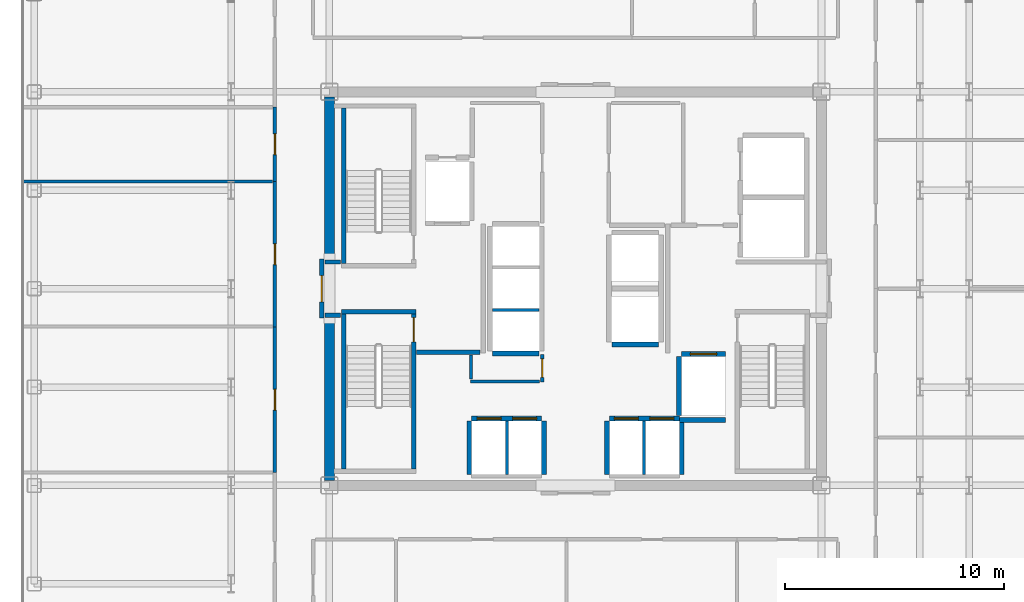
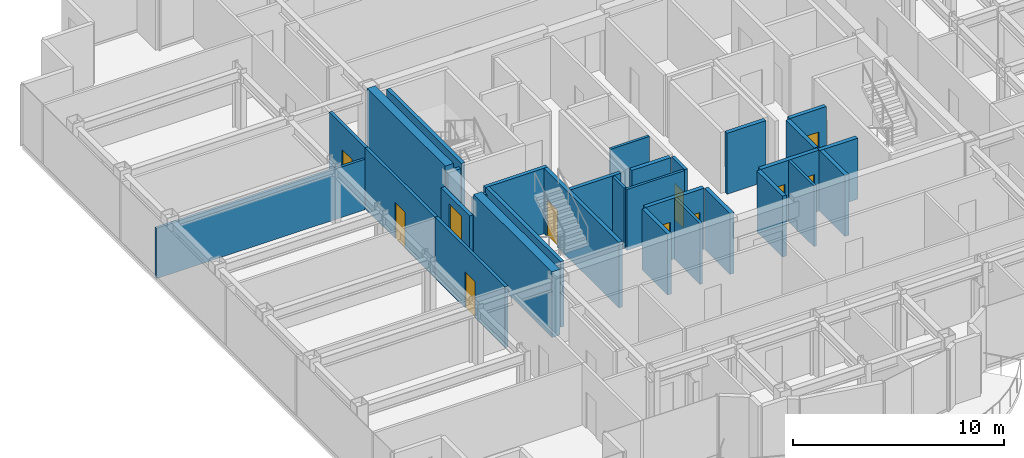
# One storey, part 15 of 21: 31 walls, 11 doors, 11 openings.
"""IFC4 building model written with IfcOpenShell, lengths in metres."""

from ifc_helpers import new_model, si_unit, direction, frame, frame_2d, origin, place, context, subcontext, project, spatial, rectangle, extrude, source, transform, mapped, material, layer, layer_set, type_object, element, fill, save


model = new_model("IFC4")

# Units and contexts
model_context = context("Model", 3, precision=1e-05, world=origin(), true_north=direction((0.0, 1.0)))
body_context = subcontext(model_context, "Body", "Model", "MODEL_VIEW")
ifc_project = project(units=[si_unit("LENGTHUNIT", "METRE"), si_unit("AREAUNIT", "SQUARE_METRE"), si_unit("VOLUMEUNIT", "CUBIC_METRE"), si_unit("PLANEANGLEUNIT", "RADIAN"), si_unit("MASSUNIT", "GRAM", prefix="KILO")], contexts=[model_context])

# Site, building, storey
site_placement = place(None, origin())
site = spatial("IfcSite", under=ifc_project, at=site_placement, CompositionType="ELEMENT")
building_placement = place(site_placement, origin())
building = spatial("IfcBuilding", under=site, at=building_placement, Name="Nefas-Gora Pilgrimage Tower", CompositionType="ELEMENT")
storey_placement = place(building_placement, frame((0.0, 0.0, 210.39990234375)))
storey = spatial("IfcBuildingStorey", under=building, at=storey_placement, Name="L52", CompositionType="ELEMENT", Elevation=210.39990234375)

# Walls
ifc_material_1 = material(Name="Concrete C50/60", Category="concrete")
ifc_layer_1 = layer(ifc_material_1, 0.449951171875)
ifc_layer_set_1 = layer_set([ifc_layer_1], Name="Concrete C50/60")
wall_type_1 = type_object("IfcWallType", Name="SW-CORE-450", PredefinedType="SHEAR", material=ifc_layer_set_1)
shared_shape_1 = source(origin(), body_context, "Body", "SweptSolid", [
    extrude(rectangle(XDim=7.4248046875, YDim=0.449951171875, at=frame_2d((3.71240234375, 0.0))), origin(), (0.0, 0.0, 1.0), 3.800048828125),
])
for number, where, z_axis, x_axis, name in (
    (1, (-11.25, -8.77490234375, 0.0), (0.0, 0.0, 1.0), (0.0, 1.0, 0.0), "L52 Core Shear Wall W-South"),
    (2, (-11.25, 1.35009765625, 0.0), (0.0, 0.0, 1.0), (0.0, 1.0, 0.0), "L52 Core Shear Wall W-North"),
):
    element("IfcWall", number, at=place(storey_placement, frame(where, z_axis=z_axis, x_axis=x_axis)), inside=storey, type_object=wall_type_1, Name=name, PredefinedType="SHEAR", context=body_context, shape_type="MappedRepresentation", body=[
        mapped(shared_shape_1, transform((0.0, 0.0, 0.0), x_axis=(1.0, 0.0, 0.0), y_axis=(0.0, 1.0, 0.0), z_axis=(0.0, 0.0, 1.0), scale=1.0)),
    ])
ifc_material_2 = material(Name="Concrete C45/55", Category="concrete")
ifc_layer_2 = layer(ifc_material_2, 0.199951171875)
ifc_layer_set_2 = layer_set([ifc_layer_2], Name="Concrete C45/55")
wall_type_2 = type_object("IfcWallType", Name="IW-STAIR-200", PredefinedType="SOLIDWALL", material=ifc_layer_set_2)
shared_shape_2 = source(origin(), body_context, "Body", "SweptSolid", [
    extrude(rectangle(XDim=3.39990234375, YDim=0.199951171875, at=frame_2d((1.699951171875, 0.0))), origin(), (0.0, 0.0, 1.0), 3.800048828125),
])
wall_1_placement = place(storey_placement, frame((-10.699951171875, -1.050048828125, 0.0), z_axis=(0.0, 0.0, 1.0), x_axis=(1.0, 0.0, 0.0)))
element("IfcWall", 3, at=wall_1_placement, inside=storey, type_object=wall_type_2, Name="L52 Stairwell Shear Wall ST-03-near", PredefinedType="SOLIDWALL", context=body_context, shape_type="MappedRepresentation", body=[
    mapped(shared_shape_2, transform((0.0, 0.0, 0.0), x_axis=(1.0, 0.0, 0.0), y_axis=(0.0, 1.0, 0.0), z_axis=(0.0, 0.0, 1.0), scale=1.0)),
])
shared_shape_3 = source(origin(), body_context, "Body", "SweptSolid", [
    extrude(rectangle(XDim=7.10009765625, YDim=0.199951171875, at=frame_2d((3.550048828125, 0.0))), origin(), (0.0, 0.0, 1.0), 3.800048828125),
])
for number, where, z_axis, x_axis, name in (
    (4, (-10.60009765625, 1.14990234375, 0.0), (0.0, 0.0, 1.0), (0.0, 1.0, 0.0), "L52 Stairwell Shear Wall ST-01-right"),
    (5, (-10.60009765625, -1.14990234375, 0.0), (0.0, 0.0, 1.0), (0.0, -1.0, 0.0), "L52 Stairwell Shear Wall ST-03-left"),
):
    element("IfcWall", number, at=place(storey_placement, frame(where, z_axis=z_axis, x_axis=x_axis)), inside=storey, type_object=wall_type_2, Name=name, PredefinedType="SOLIDWALL", context=body_context, shape_type="MappedRepresentation", body=[
        mapped(shared_shape_3, transform((0.0, 0.0, 0.0), x_axis=(1.0, 0.0, 0.0), y_axis=(0.0, 1.0, 0.0), z_axis=(0.0, 0.0, 1.0), scale=1.0)),
    ])

# Wall, opening, door
wall_2_placement = place(storey_placement, frame((-7.39990234375, -1.14990234375, 0.0), z_axis=(0.0, 0.0, 1.0), x_axis=(0.0, -1.0, 0.0)))
wall_2 = element("IfcWall", 6, at=wall_2_placement, inside=storey, type_object=wall_type_2, Name="L52 Stairwell Shear Wall ST-03-right", PredefinedType="SOLIDWALL", context=body_context, shape_type="MappedRepresentation", body=[
    mapped(shared_shape_3, transform((0.0, 0.0, 0.0), x_axis=(1.0, 0.0, 0.0), y_axis=(0.0, 1.0, 0.0), z_axis=(0.0, 0.0, 1.0), scale=1.0)),
])
opening_1_placement = place(wall_2_placement, frame((0.179931640625, 0.0, 0.0)))
opening_1 = element("IfcOpeningElement", 7, at=opening_1_placement, cuts=wall_2, Name="Opening ID-ST1", PredefinedType="OPENING", context=body_context, shape_type="SweptSolid", body=[
    extrude(rectangle(XDim=1.10009765625, YDim=2.14990234375, at=frame_2d((0.550048828125, 1.074951171875))), frame((0.0, 0.10986328125, 0.0), z_axis=(0.0, -1.0, 0.0), x_axis=(1.0, 0.0, 0.0)), (0.0, 0.0, 1.0), 0.219970703125),
])
ifc_material_3 = material(Name="Painted galvanised steel fire stair door", Category="steel")
door_type_1 = type_object("IfcDoorType", Name="DR-INT-STAIR-1100", OperationType="NOTDEFINED", PredefinedType="DOOR", material=ifc_material_3)
shared_shape_4 = source(origin(), body_context, "Body", "SweptSolid", [
    extrude(rectangle(XDim=1.10009765625, YDim=2.14990234375, at=frame_2d((0.550048828125, 1.074951171875))), frame((0.0, 0.02490234375, 0.0), z_axis=(0.0, -1.0, 0.0), x_axis=(1.0, 0.0, 0.0)), (0.0, 0.0, 1.0), 0.050048828125),
])
door_1_placement = place(opening_1_placement, origin())
door_1 = element("IfcDoor", 8, at=door_1_placement, inside=storey, type_object=door_type_1, Name="L52 Protected Exit Stair Door ST-03", OperationType="SINGLE_SWING_RIGHT", OverallHeight=2.14990234375, OverallWidth=1.10009765625, PredefinedType="DOOR", context=body_context, shape_type="MappedRepresentation", body=[
    mapped(shared_shape_4, transform((0.0, 0.0, 0.0), x_axis=(1.0, 0.0, 0.0), y_axis=(0.0, 1.0, 0.0), z_axis=(0.0, 0.0, 1.0), scale=1.0)),
])
fill(opening_1, door_1)

ifc_material_4 = material(Name="Concrete C40/50", Category="concrete")
ifc_layer_3 = layer(ifc_material_4, 0.219970703125)
ifc_layer_set_3 = layer_set([ifc_layer_3], Name="Concrete C40/50")
wall_type_3 = type_object("IfcWallType", Name="IW-SHAFT-220", PredefinedType="SOLIDWALL", material=ifc_layer_set_3)
shared_shape_5 = source(origin(), body_context, "Body", "SweptSolid", [
    extrude(rectangle(XDim=2.0, YDim=0.219970703125, at=frame_2d((1.0, 0.0))), origin(), (0.0, 0.0, 1.0), 3.53515625),
])
wall_3_placement = place(storey_placement, frame((6.85009765625, -2.989990234375, 0.0), z_axis=(0.0, 0.0, 1.0), x_axis=(-1.0, 0.0, 0.0)))
wall_3 = element("IfcWall", 9, at=wall_3_placement, inside=storey, type_object=wall_type_3, Name="L52 Hoistway Wall FFL-02-N", PredefinedType="SOLIDWALL", context=body_context, shape_type="MappedRepresentation", body=[
    mapped(shared_shape_5, transform((0.0, 0.0, 0.0), x_axis=(1.0, 0.0, 0.0), y_axis=(0.0, 1.0, 0.0), z_axis=(0.0, 0.0, 1.0), scale=1.0)),
])
opening_2_placement = place(wall_3_placement, frame((0.39990234375, 0.0, 0.0)))
opening_2 = element("IfcOpeningElement", 10, at=opening_2_placement, cuts=wall_3, Name="Opening LD-FF", PredefinedType="OPENING", context=body_context, shape_type="SweptSolid", body=[
    extrude(rectangle(XDim=1.199951171875, YDim=2.199951171875, at=frame_2d((0.60009765625, 1.10009765625))), frame((0.0, 0.119873046875, 0.0), z_axis=(0.0, -1.0, 0.0), x_axis=(1.0, 0.0, 0.0)), (0.0, 0.0, 1.0), 0.239990234375),
])
ifc_material_5 = material(Name="Fire-service sliding lift landing door")
door_type_2 = type_object("IfcDoorType", Name="DR-LIFT-FSAE-1200", OperationType="SLIDING_TO_LEFT", PredefinedType="DOOR", material=ifc_material_5)
shared_shape_6 = source(origin(), body_context, "Body", "SweptSolid", [
    extrude(rectangle(XDim=1.199951171875, YDim=2.199951171875, at=frame_2d((0.60009765625, 1.10009765625))), frame((0.0, 0.02490234375, 0.0), z_axis=(0.0, -1.0, 0.0), x_axis=(1.0, 0.0, 0.0)), (0.0, 0.0, 1.0), 0.050048828125),
])
door_2_placement = place(opening_2_placement, origin())
door_2 = element("IfcDoor", 11, at=door_2_placement, inside=storey, type_object=door_type_2, Name="L52 Sliding Lift Landing Door FFL-02", OperationType="SLIDING_TO_LEFT", OverallHeight=2.199951171875, OverallWidth=1.199951171875, PredefinedType="DOOR", context=body_context, shape_type="MappedRepresentation", body=[
    mapped(shared_shape_6, transform((0.0, 0.0, 0.0), x_axis=(1.0, 0.0, 0.0), y_axis=(0.0, 1.0, 0.0), z_axis=(0.0, 0.0, 1.0), scale=1.0)),
])
fill(opening_2, door_2)

# Wall
shared_shape_7 = source(origin(), body_context, "Body", "SweptSolid", [
    extrude(rectangle(XDim=2.679931640625, YDim=0.219970703125, at=frame_2d((1.33984375, 0.0))), origin(), (0.0, 0.0, 1.0), 3.53515625),
])
wall_4_placement = place(storey_placement, frame((4.739990234375, -3.110107421875, 0.0), z_axis=(0.0, 0.0, 1.0), x_axis=(0.0, -1.0, 0.0)))
element("IfcWall", 12, at=wall_4_placement, inside=storey, type_object=wall_type_3, Name="L52 Hoistway Wall FFL-02-W", PredefinedType="SOLIDWALL", context=body_context, shape_type="MappedRepresentation", body=[
    mapped(shared_shape_7, transform((0.0, 0.0, 0.0), x_axis=(1.0, 0.0, 0.0), y_axis=(0.0, 1.0, 0.0), z_axis=(0.0, 0.0, 1.0), scale=1.0)),
])

# Wall, openings, doors
shared_shape_8 = source(origin(), body_context, "Body", "SweptSolid", [
    extrude(rectangle(XDim=3.199951171875, YDim=0.219970703125, at=frame_2d((1.60009765625, 0.0))), origin(), (0.0, 0.0, 1.0), 3.53515625),
])
wall_5_placement = place(storey_placement, frame((-1.550048828125, -5.93994140625, 0.0), z_axis=(0.0, 0.0, 1.0), x_axis=(-1.0, 0.0, 0.0)))
wall_5 = element("IfcWall", 13, at=wall_5_placement, inside=storey, type_object=wall_type_3, Name="L52 Hoistway Wall PL2-W-N", PredefinedType="SOLIDWALL", context=body_context, shape_type="MappedRepresentation", body=[
    mapped(shared_shape_8, transform((0.0, 0.0, 0.0), x_axis=(1.0, 0.0, 0.0), y_axis=(0.0, 1.0, 0.0), z_axis=(0.0, 0.0, 1.0), scale=1.0)),
])
opening_3_placement = place(wall_5_placement, frame((1.85009765625, 0.0, 0.0)))
opening_3 = element("IfcOpeningElement", 14, at=opening_3_placement, cuts=wall_5, Name="Opening LD-01", PredefinedType="OPENING", context=body_context, shape_type="SweptSolid", body=[
    extrude(rectangle(XDim=1.10009765625, YDim=2.199951171875, at=frame_2d((0.550048828125, 1.10009765625))), frame((0.0, 0.119873046875, 0.0), z_axis=(0.0, -1.0, 0.0), x_axis=(1.0, 0.0, 0.0)), (0.0, 0.0, 1.0), 0.239990234375),
])
opening_4_placement = place(wall_5_placement, frame((0.22509765625, 0.0, 0.0)))
opening_4 = element("IfcOpeningElement", 15, at=opening_4_placement, cuts=wall_5, Name="Opening LD-01", PredefinedType="OPENING", context=body_context, shape_type="SweptSolid", body=[
    extrude(rectangle(XDim=1.10009765625, YDim=2.199951171875, at=frame_2d((0.550048828125, 1.10009765625))), frame((0.0, 0.119873046875, 0.0), z_axis=(0.0, -1.0, 0.0), x_axis=(1.0, 0.0, 0.0)), (0.0, 0.0, 1.0), 0.239990234375),
])
ifc_material_6 = material(Name="Brushed stainless sliding lift landing door")
door_type_3 = type_object("IfcDoorType", Name="DR-LIFT-PASS-1100", OperationType="DOUBLE_DOOR_SLIDING", PredefinedType="DOOR", material=ifc_material_6)
shared_shape_9 = source(origin(), body_context, "Body", "SweptSolid", [
    extrude(rectangle(XDim=1.10009765625, YDim=2.199951171875, at=frame_2d((0.550048828125, 1.10009765625))), frame((0.0, 0.02490234375, 0.0), z_axis=(0.0, -1.0, 0.0), x_axis=(1.0, 0.0, 0.0)), (0.0, 0.0, 1.0), 0.050048828125),
])
door_3_placement = place(opening_3_placement, origin())
door_3 = element("IfcDoor", 16, at=door_3_placement, inside=storey, type_object=door_type_3, Name="L52 Sliding Lift Landing Door PL2-01", OperationType="DOUBLE_DOOR_SLIDING", OverallHeight=2.199951171875, OverallWidth=1.10009765625, PredefinedType="DOOR", context=body_context, shape_type="MappedRepresentation", body=[
    mapped(shared_shape_9, transform((0.0, 0.0, 0.0), x_axis=(1.0, 0.0, 0.0), y_axis=(0.0, 1.0, 0.0), z_axis=(0.0, 0.0, 1.0), scale=1.0)),
])
fill(opening_3, door_3)
door_4_placement = place(opening_4_placement, origin())
door_4 = element("IfcDoor", 17, at=door_4_placement, inside=storey, type_object=door_type_3, Name="L52 Sliding Lift Landing Door PL2-02", OperationType="DOUBLE_DOOR_SLIDING", OverallHeight=2.199951171875, OverallWidth=1.10009765625, PredefinedType="DOOR", context=body_context, shape_type="MappedRepresentation", body=[
    mapped(shared_shape_9, transform((0.0, 0.0, 0.0), x_axis=(1.0, 0.0, 0.0), y_axis=(0.0, 1.0, 0.0), z_axis=(0.0, 0.0, 1.0), scale=1.0)),
])
fill(opening_4, door_4)

wall_6_placement = place(storey_placement, frame((4.75, -5.93994140625, 0.0), z_axis=(0.0, 0.0, 1.0), x_axis=(-1.0, 0.0, 0.0)))
wall_6 = element("IfcWall", 18, at=wall_6_placement, inside=storey, type_object=wall_type_3, Name="L52 Hoistway Wall PL2-E-N", PredefinedType="SOLIDWALL", context=body_context, shape_type="MappedRepresentation", body=[
    mapped(shared_shape_8, transform((0.0, 0.0, 0.0), x_axis=(1.0, 0.0, 0.0), y_axis=(0.0, 1.0, 0.0), z_axis=(0.0, 0.0, 1.0), scale=1.0)),
])
opening_5_placement = place(wall_6_placement, frame((1.875, 0.0, 0.0)))
opening_5 = element("IfcOpeningElement", 19, at=opening_5_placement, cuts=wall_6, Name="Opening LD-01", PredefinedType="OPENING", context=body_context, shape_type="SweptSolid", body=[
    extrude(rectangle(XDim=1.10009765625, YDim=2.199951171875, at=frame_2d((0.550048828125, 1.10009765625))), frame((0.0, 0.119873046875, 0.0), z_axis=(0.0, -1.0, 0.0), x_axis=(1.0, 0.0, 0.0)), (0.0, 0.0, 1.0), 0.239990234375),
])
opening_6_placement = place(wall_6_placement, frame((0.25, 0.0, 0.0)))
opening_6 = element("IfcOpeningElement", 20, at=opening_6_placement, cuts=wall_6, Name="Opening LD-01", PredefinedType="OPENING", context=body_context, shape_type="SweptSolid", body=[
    extrude(rectangle(XDim=1.10009765625, YDim=2.199951171875, at=frame_2d((0.550048828125, 1.10009765625))), frame((0.0, 0.119873046875, 0.0), z_axis=(0.0, -1.0, 0.0), x_axis=(1.0, 0.0, 0.0)), (0.0, 0.0, 1.0), 0.239990234375),
])
door_5_placement = place(opening_5_placement, origin())
door_5 = element("IfcDoor", 21, at=door_5_placement, inside=storey, type_object=door_type_3, Name="L52 Sliding Lift Landing Door PL2-03", OperationType="DOUBLE_DOOR_SLIDING", OverallHeight=2.199951171875, OverallWidth=1.10009765625, PredefinedType="DOOR", context=body_context, shape_type="MappedRepresentation", body=[
    mapped(shared_shape_9, transform((0.0, 0.0, 0.0), x_axis=(1.0, 0.0, 0.0), y_axis=(0.0, 1.0, 0.0), z_axis=(0.0, 0.0, 1.0), scale=1.0)),
])
fill(opening_5, door_5)
door_6_placement = place(opening_6_placement, origin())
door_6 = element("IfcDoor", 22, at=door_6_placement, inside=storey, type_object=door_type_3, Name="L52 Sliding Lift Landing Door PL2-04", OperationType="DOUBLE_DOOR_SLIDING", OverallHeight=2.199951171875, OverallWidth=1.10009765625, PredefinedType="DOOR", context=body_context, shape_type="MappedRepresentation", body=[
    mapped(shared_shape_9, transform((0.0, 0.0, 0.0), x_axis=(1.0, 0.0, 0.0), y_axis=(0.0, 1.0, 0.0), z_axis=(0.0, 0.0, 1.0), scale=1.0)),
])
fill(opening_6, door_6)

# Walls
shared_shape_10 = source(origin(), body_context, "Body", "SweptSolid", [
    extrude(rectangle(XDim=2.429931640625, YDim=0.219970703125, at=frame_2d((1.21484375, 0.0))), origin(), (0.0, 0.0, 1.0), 3.53515625),
])
for number, where, z_axis, x_axis, name in (
    (23, (-4.860107421875, -6.06005859375, 0.0), (0.0, 0.0, 1.0), (0.0, -1.0, 0.0), "L52 Hoistway Wall PL2-W-W"),
    (24, (-1.43994140625, -8.489990234375, 0.0), (0.0, 0.0, 1.0), (0.0, 1.0, 0.0), "L52 Hoistway Wall PL2-W-E"),
    (25, (1.43994140625, -6.06005859375, 0.0), (0.0, 0.0, 1.0), (0.0, -1.0, 0.0), "L52 Hoistway Wall PL2-E-W"),
    (26, (4.860107421875, -8.489990234375, 0.0), (0.0, 0.0, 1.0), (0.0, 1.0, 0.0), "L52 Hoistway Wall PL2-E-E"),
):
    element("IfcWall", number, at=place(storey_placement, frame(where, z_axis=z_axis, x_axis=x_axis)), inside=storey, type_object=wall_type_3, Name=name, PredefinedType="SOLIDWALL", context=body_context, shape_type="MappedRepresentation", body=[
        mapped(shared_shape_10, transform((0.0, 0.0, 0.0), x_axis=(1.0, 0.0, 0.0), y_axis=(0.0, 1.0, 0.0), z_axis=(0.0, 0.0, 1.0), scale=1.0)),
    ])
ifc_material_7 = material(Name="Gypsum twin-stud partition")
ifc_layer_4 = layer(ifc_material_7, 0.139892578125)
ifc_layer_set_4 = layer_set([ifc_layer_4], Name="Gypsum twin-stud partition")
wall_type_4 = type_object("IfcWallType", Name="IW-UNIT-140", PredefinedType="PARTITIONING", material=ifc_layer_set_4)
shared_shape_11 = source(origin(), body_context, "Body", "SweptSolid", [
    extrude(rectangle(XDim=2.429931640625, YDim=0.139892578125, at=frame_2d((1.21484375, 0.0))), origin(), (0.0, 0.0, 1.0), 3.53515625),
])
for number, where, z_axis, x_axis, name in (
    (27, (-3.125, -8.489990234375, 0.0), (0.0, 0.0, 1.0), (0.0, 1.0, 0.0), "L52 Hoistway Wall PL2-W-DIV"),
    (28, (3.125, -8.489990234375, 0.0), (0.0, 0.0, 1.0), (0.0, 1.0, 0.0), "L52 Hoistway Wall PL2-E-DIV"),
):
    element("IfcWall", number, at=place(storey_placement, frame(where, z_axis=z_axis, x_axis=x_axis)), inside=storey, type_object=wall_type_4, Name=name, PredefinedType="PARTITIONING", context=body_context, shape_type="MappedRepresentation", body=[
        mapped(shared_shape_11, transform((0.0, 0.0, 0.0), x_axis=(1.0, 0.0, 0.0), y_axis=(0.0, 1.0, 0.0), z_axis=(0.0, 0.0, 1.0), scale=1.0)),
    ])
shared_shape_12 = source(origin(), body_context, "Body", "SweptSolid", [
    extrude(rectangle(XDim=2.130126953125, YDim=0.219970703125, at=frame_2d((1.06494140625, 0.0))), origin(), (0.0, 0.0, 1.0), 3.53515625),
])
for number, where, z_axis, x_axis, name in (
    (29, (-3.7900390625, -2.9599609375, 0.0), (0.0, 0.0, 1.0), (1.0, 0.0, 0.0), "L52 Hoistway Wall PL3-01-S"),
    (30, (1.659912109375, -2.56005859375, 0.0), (0.0, 0.0, 1.0), (1.0, 0.0, 0.0), "L52 Hoistway Wall OBS-01-S"),
):
    element("IfcWall", number, at=place(storey_placement, frame(where, z_axis=z_axis, x_axis=x_axis)), inside=storey, type_object=wall_type_3, Name=name, PredefinedType="SOLIDWALL", context=body_context, shape_type="MappedRepresentation", body=[
        mapped(shared_shape_12, transform((0.0, 0.0, 0.0), x_axis=(1.0, 0.0, 0.0), y_axis=(0.0, 1.0, 0.0), z_axis=(0.0, 0.0, 1.0), scale=1.0)),
    ])
shared_shape_13 = source(origin(), body_context, "Body", "SweptSolid", [
    extrude(rectangle(XDim=2.130126953125, YDim=0.139892578125, at=frame_2d((1.06494140625, 0.0))), origin(), (0.0, 0.0, 1.0), 3.53515625),
])
wall_7_placement = place(storey_placement, frame((-3.7900390625, -0.97509765625, 0.0), z_axis=(0.0, 0.0, 1.0), x_axis=(1.0, 0.0, 0.0)))
element("IfcWall", 31, at=wall_7_placement, inside=storey, type_object=wall_type_4, Name="L52 Hoistway Wall PL3-01-02-DIV", PredefinedType="PARTITIONING", context=body_context, shape_type="MappedRepresentation", body=[
    mapped(shared_shape_13, transform((0.0, 0.0, 0.0), x_axis=(1.0, 0.0, 0.0), y_axis=(0.0, 1.0, 0.0), z_axis=(0.0, 0.0, 1.0), scale=1.0)),
])
shared_shape_14 = source(origin(), body_context, "Body", "SweptSolid", [
    extrude(rectangle(XDim=2.09521484375, YDim=0.219970703125, at=frame_2d((1.047607421875, 0.0))), origin(), (0.0, 0.0, 1.0), 3.53515625),
])
wall_8_placement = place(storey_placement, frame((4.7548828125, -6.0, 0.0), z_axis=(0.0, 0.0, 1.0), x_axis=(1.0, 0.0, 0.0)))
element("IfcWall", 32, at=wall_8_placement, inside=storey, type_object=wall_type_3, Name="L52 Riser Shaft Wall 3", PredefinedType="SOLIDWALL", context=body_context, shape_type="MappedRepresentation", body=[
    mapped(shared_shape_14, transform((0.0, 0.0, 0.0), x_axis=(1.0, 0.0, 0.0), y_axis=(0.0, 1.0, 0.0), z_axis=(0.0, 0.0, 1.0), scale=1.0)),
])
ifc_material_8 = material(Name="Gypsum fire-rated shaftwall")
ifc_layer_5 = layer(ifc_material_8, 0.199951171875)
ifc_layer_set_5 = layer_set([ifc_layer_5], Name="Gypsum fire-rated shaftwall")
wall_type_5 = type_object("IfcWallType", Name="IW-FFLOB-200", PredefinedType="PARTITIONING", material=ifc_layer_set_5)
shared_shape_15 = source(origin(), body_context, "Body", "SweptSolid", [
    extrude(rectangle(XDim=2.89990234375, YDim=0.199951171875, at=frame_2d((1.449951171875, 0.0))), origin(), (0.0, 0.0, 1.0), 3.53515625),
])
wall_9_placement = place(storey_placement, frame((-7.260009765625, -2.89990234375, 0.0), z_axis=(0.0, 0.0, 1.0), x_axis=(1.0, 0.0, 0.0)))
element("IfcWall", 33, at=wall_9_placement, inside=storey, type_object=wall_type_5, Name="L52 FF Lobby West South Wall Wall 6", PredefinedType="PARTITIONING", context=body_context, shape_type="MappedRepresentation", body=[
    mapped(shared_shape_15, transform((0.0, 0.0, 0.0), x_axis=(1.0, 0.0, 0.0), y_axis=(0.0, 1.0, 0.0), z_axis=(0.0, 0.0, 1.0), scale=1.0)),
])
shared_shape_16 = source(origin(), body_context, "Body", "SweptSolid", [
    extrude(rectangle(XDim=0.719970703125, YDim=0.199951171875, at=frame_2d((0.35986328125, 0.0))), origin(), (0.0, 0.0, 1.0), 3.53515625),
])
for number, where, z_axis, x_axis, name in (
    (34, (-11.4599609375, 1.219970703125, 0.0), (0.0, 0.0, 1.0), (1.0, 0.0, 0.0), "L52 FF Lobby West Throat N Wall 7"),
    (35, (-11.4599609375, -1.219970703125, 0.0), (0.0, 0.0, 1.0), (1.0, 0.0, 0.0), "L52 FF Lobby West Throat S Wall 8"),
):
    element("IfcWall", number, at=place(storey_placement, frame(where, z_axis=z_axis, x_axis=x_axis)), inside=storey, type_object=wall_type_5, Name=name, PredefinedType="PARTITIONING", context=body_context, shape_type="MappedRepresentation", body=[
        mapped(shared_shape_16, transform((0.0, 0.0, 0.0), x_axis=(1.0, 0.0, 0.0), y_axis=(0.0, 1.0, 0.0), z_axis=(0.0, 0.0, 1.0), scale=1.0)),
    ])
shared_shape_17 = source(origin(), body_context, "Body", "SweptSolid", [
    extrude(rectangle(XDim=3.150146484375, YDim=0.139892578125, at=frame_2d((1.5751953125, 0.0))), origin(), (0.0, 0.0, 1.0), 3.53515625),
])
wall_10_placement = place(storey_placement, frame((-4.7900390625, -4.25, 0.0), z_axis=(0.0, 0.0, 1.0), x_axis=(1.0, 0.0, 0.0)))
element("IfcWall", 36, at=wall_10_placement, inside=storey, type_object=wall_type_4, Name="L52 Pilgrim Baggage and Gear Vault Partition Wall 21", PredefinedType="PARTITIONING", context=body_context, shape_type="MappedRepresentation", body=[
    mapped(shared_shape_17, transform((0.0, 0.0, 0.0), x_axis=(1.0, 0.0, 0.0), y_axis=(0.0, 1.0, 0.0), z_axis=(0.0, 0.0, 1.0), scale=1.0)),
])

# Wall, opening, door
ifc_material_9 = material(Name="Gypsum acoustic stud partition")
ifc_layer_6 = layer(ifc_material_9, 0.159912109375)
ifc_layer_set_6 = layer_set([ifc_layer_6], Name="Gypsum acoustic stud partition")
wall_type_6 = type_object("IfcWallType", Name="IW-CORR-160", PredefinedType="PARTITIONING", material=ifc_layer_set_6)
shared_shape_18 = source(origin(), body_context, "Body", "SweptSolid", [
    extrude(rectangle(XDim=3.409912109375, YDim=0.159912109375, at=frame_2d((1.705078125, 0.0))), origin(), (0.0, 0.0, 1.0), 3.53515625),
])
wall_11_placement = place(storey_placement, frame((-13.739990234375, 4.89501953125, 0.0), z_axis=(0.0, 0.0, 1.0), x_axis=(0.0, 1.0, 0.0)))
wall_11 = element("IfcWall", 37, at=wall_11_placement, inside=storey, type_object=wall_type_6, Name="L52 Pastoral Chaplains Counselling Office Partition Wall 36", PredefinedType="PARTITIONING", context=body_context, shape_type="MappedRepresentation", body=[
    mapped(shared_shape_18, transform((0.0, 0.0, 0.0), x_axis=(1.0, 0.0, 0.0), y_axis=(0.0, 1.0, 0.0), z_axis=(0.0, 0.0, 1.0), scale=1.0)),
])
opening_7_placement = place(wall_11_placement, frame((1.22998046875, 0.0, 0.0)))
opening_7 = element("IfcOpeningElement", 38, at=opening_7_placement, cuts=wall_11, Name="Opening ID-GR1", PredefinedType="OPENING", context=body_context, shape_type="SweptSolid", body=[
    extrude(rectangle(XDim=0.949951171875, YDim=2.10009765625, at=frame_2d((0.47509765625, 1.050048828125))), frame((0.0, 0.08984375, 0.0), z_axis=(0.0, -1.0, 0.0), x_axis=(1.0, 0.0, 0.0)), (0.0, 0.0, 1.0), 0.179931640625),
])
ifc_material_10 = material(Name="Solid core oak fire-rated guest entrance door")
door_type_4 = type_object("IfcDoorType", Name="DR-INT-GUEST-950", OperationType="NOTDEFINED", PredefinedType="DOOR", material=ifc_material_10)
shared_shape_19 = source(origin(), body_context, "Body", "SweptSolid", [
    extrude(rectangle(XDim=0.949951171875, YDim=2.10009765625, at=frame_2d((0.47509765625, 1.050048828125))), frame((0.0, 0.02490234375, 0.0), z_axis=(0.0, -1.0, 0.0), x_axis=(1.0, 0.0, 0.0)), (0.0, 0.0, 1.0), 0.050048828125),
])
door_7_placement = place(opening_7_placement, origin())
door_7 = element("IfcDoor", 39, at=door_7_placement, inside=storey, type_object=door_type_4, Name="L52 Pastoral Chaplains Counselling Office Door 15", OperationType="SINGLE_SWING_LEFT", OverallHeight=2.10009765625, OverallWidth=0.949951171875, PredefinedType="DOOR", context=body_context, shape_type="MappedRepresentation", body=[
    mapped(shared_shape_19, transform((0.0, 0.0, 0.0), x_axis=(1.0, 0.0, 0.0), y_axis=(0.0, 1.0, 0.0), z_axis=(0.0, 0.0, 1.0), scale=1.0)),
])
fill(opening_7, door_7)

shared_shape_20 = source(origin(), body_context, "Body", "SweptSolid", [
    extrude(rectangle(XDim=1.25, YDim=0.159912109375, at=frame_2d((0.625, 0.0))), origin(), (0.0, 0.0, 1.0), 3.53515625),
])
wall_12_placement = place(storey_placement, frame((-1.52001953125, -4.260009765625, 0.0), z_axis=(0.0, 0.0, 1.0), x_axis=(0.0, 1.0, 0.0)))
wall_12 = element("IfcWall", 40, at=wall_12_placement, inside=storey, type_object=wall_type_6, Name="L52 Pilgrim Baggage and Gear Vault Wall 20", PredefinedType="PARTITIONING", context=body_context, shape_type="MappedRepresentation", body=[
    mapped(shared_shape_20, transform((0.0, 0.0, 0.0), x_axis=(1.0, 0.0, 0.0), y_axis=(0.0, 1.0, 0.0), z_axis=(0.0, 0.0, 1.0), scale=1.0)),
])
opening_8_placement = place(wall_12_placement, frame((0.199951171875, 0.0, 0.0)))
opening_8 = element("IfcOpeningElement", 41, at=opening_8_placement, cuts=wall_12, Name="Opening ID-BT1", PredefinedType="OPENING", context=body_context, shape_type="SweptSolid", body=[
    extrude(rectangle(XDim=0.85009765625, YDim=2.10009765625, at=frame_2d((0.425048828125, 1.050048828125))), frame((0.0, 0.08984375, 0.0), z_axis=(0.0, -1.0, 0.0), x_axis=(1.0, 0.0, 0.0)), (0.0, 0.0, 1.0), 0.179931640625),
])
ifc_material_11 = material(Name="Moisture-resistant fire-rated timber door", Category="wood")
door_type_5 = type_object("IfcDoorType", Name="DR-INT-BATH-850", OperationType="NOTDEFINED", PredefinedType="DOOR", material=ifc_material_11)
shared_shape_21 = source(origin(), body_context, "Body", "SweptSolid", [
    extrude(rectangle(XDim=0.85009765625, YDim=2.10009765625, at=frame_2d((0.425048828125, 1.050048828125))), frame((0.0, 0.02490234375, 0.0), z_axis=(0.0, -1.0, 0.0), x_axis=(1.0, 0.0, 0.0)), (0.0, 0.0, 1.0), 0.050048828125),
])
door_8_placement = place(opening_8_placement, origin())
door_8 = element("IfcDoor", 42, at=door_8_placement, inside=storey, type_object=door_type_5, Name="L52 Pilgrim Baggage and Gear Vault Door 8", OperationType="SINGLE_SWING_RIGHT", OverallHeight=2.10009765625, OverallWidth=0.85009765625, PredefinedType="DOOR", context=body_context, shape_type="MappedRepresentation", body=[
    mapped(shared_shape_21, transform((0.0, 0.0, 0.0), x_axis=(1.0, 0.0, 0.0), y_axis=(0.0, 1.0, 0.0), z_axis=(0.0, 0.0, 1.0), scale=1.0)),
])
fill(opening_8, door_8)

# Wall
shared_shape_22 = source(origin(), body_context, "Body", "SweptSolid", [
    extrude(rectangle(XDim=1.099853515625, YDim=0.139892578125, at=frame_2d((0.5498046875, 0.0))), origin(), (0.0, 0.0, 1.0), 3.53515625),
])
wall_13_placement = place(storey_placement, frame((-4.780029296875, -4.139892578125, 0.0), z_axis=(0.0, 0.0, 1.0), x_axis=(0.0, 1.0, 0.0)))
element("IfcWall", 43, at=wall_13_placement, inside=storey, type_object=wall_type_4, Name="L52 Pilgrim Baggage and Gear Vault Partition Wall 22", PredefinedType="PARTITIONING", context=body_context, shape_type="MappedRepresentation", body=[
    mapped(shared_shape_22, transform((0.0, 0.0, 0.0), x_axis=(1.0, 0.0, 0.0), y_axis=(0.0, 1.0, 0.0), z_axis=(0.0, 0.0, 1.0), scale=1.0)),
])

# Wall, opening, door
shared_shape_23 = source(origin(), body_context, "Body", "SweptSolid", [
    extrude(rectangle(XDim=2.7001953125, YDim=0.199951171875, at=frame_2d((1.35009765625, 0.0))), origin(), (0.0, 0.0, 1.0), 2.625),
])
wall_14_placement = place(storey_placement, frame((-11.60009765625, -1.35009765625, 0.0), z_axis=(0.0, 0.0, 1.0), x_axis=(0.0, 1.0, 0.0)))
wall_14 = element("IfcWall", 44, at=wall_14_placement, inside=storey, type_object=wall_type_5, Name="L52 FF Lobby West Portal Wall 4", PredefinedType="PARTITIONING", context=body_context, shape_type="MappedRepresentation", body=[
    mapped(shared_shape_23, transform((0.0, 0.0, 0.0), x_axis=(1.0, 0.0, 0.0), y_axis=(0.0, 1.0, 0.0), z_axis=(0.0, 0.0, 1.0), scale=1.0)),
])
opening_9_placement = place(wall_14_placement, frame((0.75, 0.0, 0.0)))
opening_9 = element("IfcOpeningElement", 45, at=opening_9_placement, cuts=wall_14, Name="Opening ID-FF1", PredefinedType="OPENING", context=body_context, shape_type="SweptSolid", body=[
    extrude(rectangle(XDim=1.199951171875, YDim=2.14990234375, at=frame_2d((0.60009765625, 1.074951171875))), frame((0.0, 0.10986328125, 0.0), z_axis=(0.0, -1.0, 0.0), x_axis=(1.0, 0.0, 0.0)), (0.0, 0.0, 1.0), 0.219970703125),
])
ifc_material_12 = material(Name="Smoke-sealed steel firefighting lobby door", Category="steel")
door_type_6 = type_object("IfcDoorType", Name="DR-INT-FFLOB-1200", OperationType="NOTDEFINED", PredefinedType="DOOR", material=ifc_material_12)
shared_shape_24 = source(origin(), body_context, "Body", "SweptSolid", [
    extrude(rectangle(XDim=1.199951171875, YDim=2.14990234375, at=frame_2d((0.60009765625, 1.074951171875))), frame((0.0, 0.02490234375, 0.0), z_axis=(0.0, -1.0, 0.0), x_axis=(1.0, 0.0, 0.0)), (0.0, 0.0, 1.0), 0.050048828125),
])
door_9_placement = place(opening_9_placement, origin())
door_9 = element("IfcDoor", 46, at=door_9_placement, inside=storey, type_object=door_type_6, Name="L52 FF Lobby West Portal Door 2", OperationType="SINGLE_SWING_RIGHT", OverallHeight=2.14990234375, OverallWidth=1.199951171875, PredefinedType="DOOR", context=body_context, shape_type="MappedRepresentation", body=[
    mapped(shared_shape_24, transform((0.0, 0.0, 0.0), x_axis=(1.0, 0.0, 0.0), y_axis=(0.0, 1.0, 0.0), z_axis=(0.0, 0.0, 1.0), scale=1.0)),
])
fill(opening_9, door_9)

shared_shape_25 = source(origin(), body_context, "Body", "SweptSolid", [
    extrude(rectangle(XDim=6.655029296875, YDim=0.159912109375, at=frame_2d((3.32763671875, 0.0))), origin(), (0.0, 0.0, 1.0), 3.53515625),
])
wall_15_placement = place(storey_placement, frame((-13.739990234375, -1.75, 0.0), z_axis=(0.0, 0.0, 1.0), x_axis=(0.0, 1.0, 0.0)))
wall_15 = element("IfcWall", 47, at=wall_15_placement, inside=storey, type_object=wall_type_6, Name="L52 Pilgrim Tea and Beverage Pantry Partition Wall 32", PredefinedType="PARTITIONING", context=body_context, shape_type="MappedRepresentation", body=[
    mapped(shared_shape_25, transform((0.0, 0.0, 0.0), x_axis=(1.0, 0.0, 0.0), y_axis=(0.0, 1.0, 0.0), z_axis=(0.0, 0.0, 1.0), scale=1.0)),
])
opening_10_placement = place(wall_15_placement, frame((2.8525390625, 0.0, 0.0)))
opening_10 = element("IfcOpeningElement", 48, at=opening_10_placement, cuts=wall_15, Name="Opening ID-GR1", PredefinedType="OPENING", context=body_context, shape_type="SweptSolid", body=[
    extrude(rectangle(XDim=0.949951171875, YDim=2.10009765625, at=frame_2d((0.47509765625, 1.050048828125))), frame((0.0, 0.08984375, 0.0), z_axis=(0.0, -1.0, 0.0), x_axis=(1.0, 0.0, 0.0)), (0.0, 0.0, 1.0), 0.179931640625),
])
door_10_placement = place(opening_10_placement, origin())
door_10 = element("IfcDoor", 49, at=door_10_placement, inside=storey, type_object=door_type_4, Name="L52 Pilgrim Tea and Beverage Pantry Door 13", OperationType="SINGLE_SWING_LEFT", OverallHeight=2.10009765625, OverallWidth=0.949951171875, PredefinedType="DOOR", context=body_context, shape_type="MappedRepresentation", body=[
    mapped(shared_shape_19, transform((0.0, 0.0, 0.0), x_axis=(1.0, 0.0, 0.0), y_axis=(0.0, 1.0, 0.0), z_axis=(0.0, 0.0, 1.0), scale=1.0)),
])
fill(opening_10, door_10)

wall_16_placement = place(storey_placement, frame((-13.739990234375, -8.405029296875, 0.0), z_axis=(0.0, 0.0, 1.0), x_axis=(0.0, 1.0, 0.0)))
wall_16 = element("IfcWall", 50, at=wall_16_placement, inside=storey, type_object=wall_type_6, Name="L52 Pilgrim Tea and Beverage Pantry Partition Wall 35", PredefinedType="PARTITIONING", context=body_context, shape_type="MappedRepresentation", body=[
    mapped(shared_shape_25, transform((0.0, 0.0, 0.0), x_axis=(1.0, 0.0, 0.0), y_axis=(0.0, 1.0, 0.0), z_axis=(0.0, 0.0, 1.0), scale=1.0)),
])
opening_11_placement = place(wall_16_placement, frame((2.8525390625, 0.0, 0.0)))
opening_11 = element("IfcOpeningElement", 51, at=opening_11_placement, cuts=wall_16, Name="Opening ID-GR1", PredefinedType="OPENING", context=body_context, shape_type="SweptSolid", body=[
    extrude(rectangle(XDim=0.949951171875, YDim=2.10009765625, at=frame_2d((0.47509765625, 1.050048828125))), frame((0.0, 0.08984375, 0.0), z_axis=(0.0, -1.0, 0.0), x_axis=(1.0, 0.0, 0.0)), (0.0, 0.0, 1.0), 0.179931640625),
])
door_11_placement = place(opening_11_placement, origin())
door_11 = element("IfcDoor", 52, at=door_11_placement, inside=storey, type_object=door_type_4, Name="L52 Pilgrim Tea and Beverage Pantry Door 14", OperationType="SINGLE_SWING_RIGHT", OverallHeight=2.10009765625, OverallWidth=0.949951171875, PredefinedType="DOOR", context=body_context, shape_type="MappedRepresentation", body=[
    mapped(shared_shape_19, transform((0.0, 0.0, 0.0), x_axis=(1.0, 0.0, 0.0), y_axis=(0.0, 1.0, 0.0), z_axis=(0.0, 0.0, 1.0), scale=1.0)),
])
fill(opening_11, door_11)

# Wall
shared_shape_26 = source(origin(), body_context, "Body", "SweptSolid", [
    extrude(rectangle(XDim=11.429931640625, YDim=0.139892578125, at=frame_2d((5.71484375, 0.0))), origin(), (0.0, 0.0, 1.0), 2.925048828125),
])
wall_17_placement = place(storey_placement, frame((-25.2900390625, 4.89501953125, 0.0), z_axis=(0.0, 0.0, 1.0), x_axis=(1.0, 0.0, 0.0)))
element("IfcWall", 53, at=wall_17_placement, inside=storey, type_object=wall_type_4, Name="L52 Pilgrim Tea and Beverage Pantry Partition Wall 33", PredefinedType="PARTITIONING", context=body_context, shape_type="MappedRepresentation", body=[
    mapped(shared_shape_26, transform((0.0, 0.0, 0.0), x_axis=(1.0, 0.0, 0.0), y_axis=(0.0, 1.0, 0.0), z_axis=(0.0, 0.0, 1.0), scale=1.0)),
])

save(model, "model.ifc")
